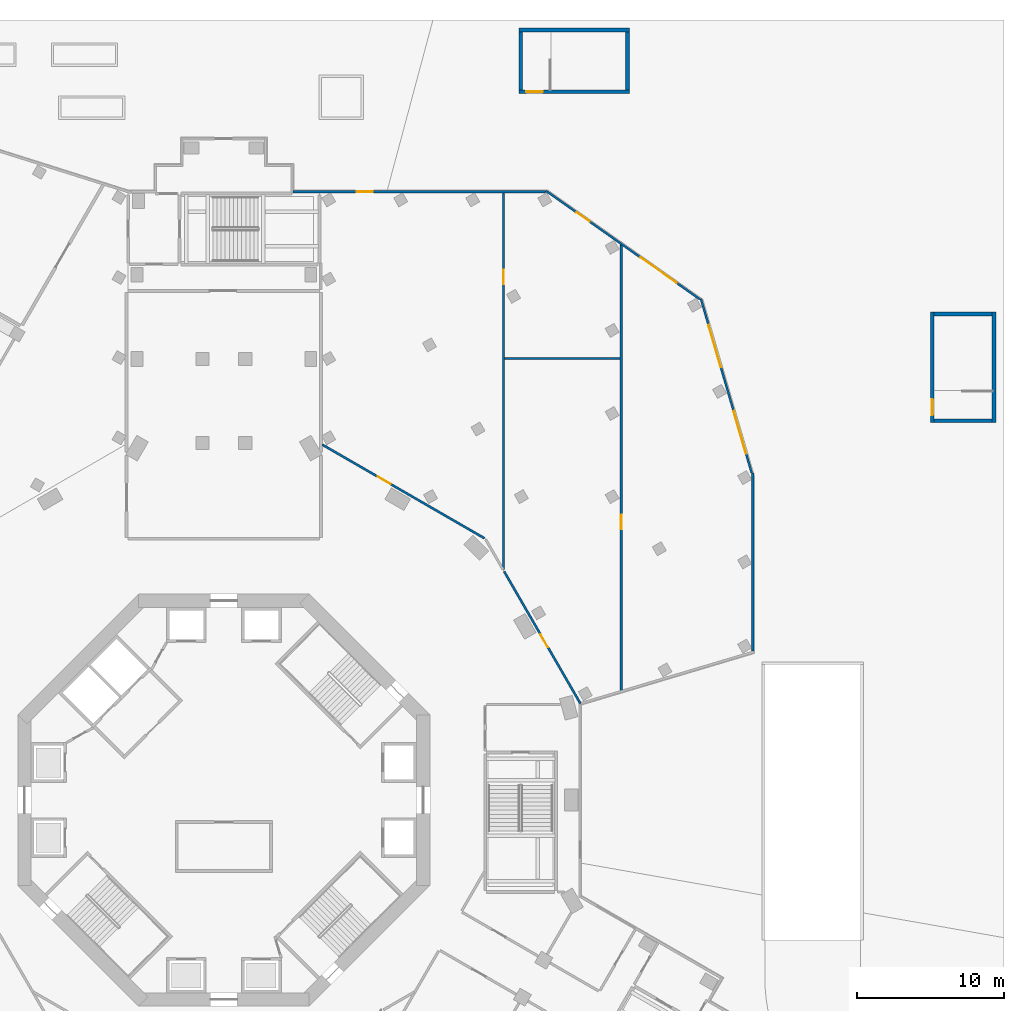
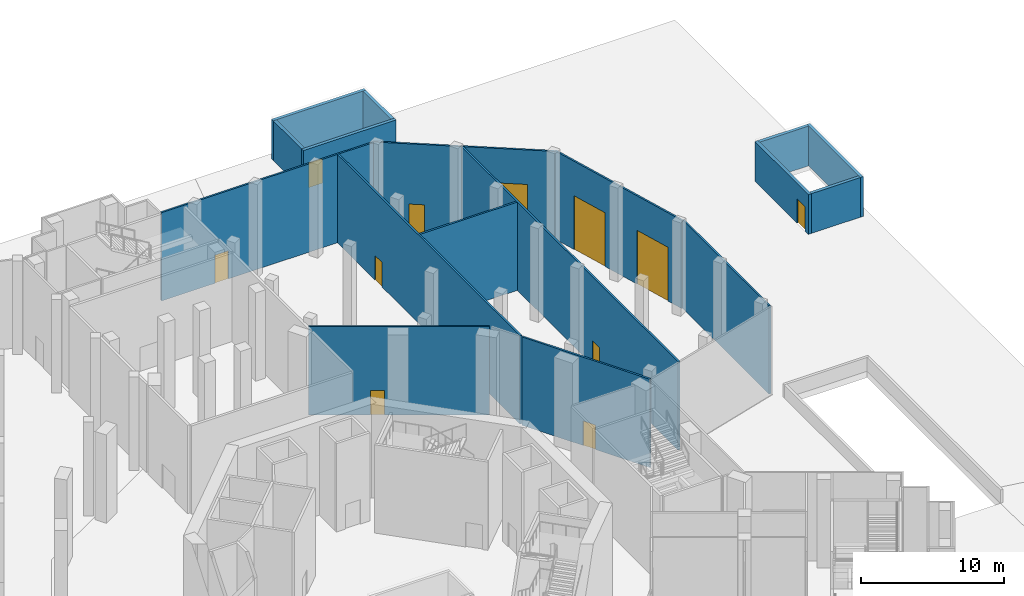
# One storey, part 12 of 30: 17 walls, 11 doors, 11 openings.
"""IFC4 building model written with IfcOpenShell, lengths in metres."""

from ifc_helpers import new_model, si_unit, direction, frame, frame_2d, origin, place, context, subcontext, project, spatial, rectangle, extrude, material, layer, layer_set, type_object, element, fill, save


model = new_model("IFC4")

# Units and contexts
model_context = context("Model", 3, precision=1e-05, world=origin(), true_north=direction((0.0, 1.0)))
body_context = subcontext(model_context, "Body", "Model", "MODEL_VIEW")
ifc_project = project(units=[si_unit("LENGTHUNIT", "METRE"), si_unit("AREAUNIT", "SQUARE_METRE"), si_unit("VOLUMEUNIT", "CUBIC_METRE"), si_unit("PLANEANGLEUNIT", "RADIAN"), si_unit("MASSUNIT", "GRAM", prefix="KILO")], contexts=[model_context])

# Site, building, storey
site_placement = place(None, origin())
site = spatial("IfcSite", under=ifc_project, at=site_placement, CompositionType="ELEMENT")
building_placement = place(site_placement, origin())
building = spatial("IfcBuilding", under=site, at=building_placement, Name="Verdalira Terraces Hotel", CompositionType="ELEMENT")
storey_placement = place(building_placement, origin())
storey = spatial("IfcBuildingStorey", under=building, at=storey_placement, Name="L00", CompositionType="ELEMENT", Elevation=0.0)

# Wall, opening, door
ifc_material_1 = material(Name="Gypsum board partition on steel stud", Category="steel")
ifc_layer_1 = layer(ifc_material_1, 0.14990234375)
ifc_layer_set_1 = layer_set([ifc_layer_1], Name="Fire-rated partition 150 mm")
wall_type_1 = type_object("IfcWallType", Name="Fire-rated partition 150 mm", PredefinedType="PARTITIONING", material=ifc_layer_set_1)
wall_1_placement = place(storey_placement, frame((17.693359, 17.795898, 0.0), z_axis=(0.0, 0.0, 1.0), x_axis=(-0.866027563, 0.499996261, 0.0)))
wall_1 = element("IfcWall", 1, at=wall_1_placement, inside=storey, type_object=wall_type_1, Name="Partition", PredefinedType="PARTITIONING", context=body_context, shape_type="SweptSolid", body=[
    extrude(rectangle(XDim=12.709473, YDim=0.149902, at=frame_2d((6.354736, 0.0))), origin(), (0.0, 0.0, 1.0), 7.550049),
])
opening_1_placement = place(wall_1_placement, frame((7.359619, 0.0, 0.0)))
opening_1 = element("IfcOpeningElement", 2, at=opening_1_placement, cuts=wall_1, Name="Opening L00-D20", PredefinedType="OPENING", context=body_context, shape_type="SweptSolid", body=[
    extrude(rectangle(XDim=1.0, YDim=2.100098, at=frame_2d((0.5, 1.050049))), frame((0.0, 0.084961, 0.0), z_axis=(0.0, -1.0, 0.0), x_axis=(1.0, 0.0, 0.0)), (0.0, 0.0, 1.0), 0.169922),
])
ifc_material_2 = material(Name="Steel fire door", Category="steel")
door_type_1 = type_object("IfcDoorType", Name="Fire door 1000 x 2100", OperationType="SINGLE_SWING_LEFT", PredefinedType="DOOR", material=ifc_material_2)
door_1_placement = place(opening_1_placement, origin())
door_1 = element("IfcDoor", 3, at=door_1_placement, inside=storey, type_object=door_type_1, Name="Back-of-house corridor door", OperationType="SINGLE_SWING_RIGHT", OverallHeight=2.10009765625, OverallWidth=1.0, PredefinedType="DOOR", context=body_context, shape_type="SweptSolid", body=[
    extrude(rectangle(XDim=1.0, YDim=2.100098, at=frame_2d((0.5, 1.050049))), frame((0.0, 0.024902, 0.0), z_axis=(0.0, -1.0, 0.0), x_axis=(1.0, 0.0, 0.0)), (0.0, 0.0, 1.0), 0.050049),
])
fill(opening_1, door_1)

wall_2_placement = place(storey_placement, frame((19.0, 41.26001, 0.0), z_axis=(0.0, 0.0, 1.0), x_axis=(0.0, -1.0, 0.0)))
wall_2 = element("IfcWall", 4, at=wall_2_placement, inside=storey, type_object=wall_type_1, Name="Partition", PredefinedType="PARTITIONING", context=body_context, shape_type="SweptSolid", body=[
    extrude(rectangle(XDim=25.577393, YDim=0.149902, at=frame_2d((12.788574, 0.0))), origin(), (0.0, 0.0, 1.0), 7.550049),
])
opening_2_placement = place(wall_2_placement, frame((5.227295, 0.0, 0.0)))
opening_2 = element("IfcOpeningElement", 5, at=opening_2_placement, cuts=wall_2, Name="Opening L00-D28", PredefinedType="OPENING", context=body_context, shape_type="SweptSolid", body=[
    extrude(rectangle(XDim=1.0, YDim=2.100098, at=frame_2d((0.5, 1.050049))), frame((0.0, 0.084961, 0.0), z_axis=(0.0, -1.0, 0.0), x_axis=(1.0, 0.0, 0.0)), (0.0, 0.0, 1.0), 0.169922),
])
door_2_placement = place(opening_2_placement, origin())
door_2 = element("IfcDoor", 6, at=door_2_placement, inside=storey, type_object=door_type_1, Name="Refuse store door", OperationType="SINGLE_SWING_RIGHT", OverallHeight=2.10009765625, OverallWidth=1.0, PredefinedType="DOOR", context=body_context, shape_type="SweptSolid", body=[
    extrude(rectangle(XDim=1.0, YDim=2.100098, at=frame_2d((0.5, 1.050049))), frame((0.0, 0.024902, 0.0), z_axis=(0.0, -1.0, 0.0), x_axis=(1.0, 0.0, 0.0)), (0.0, 0.0, 1.0), 0.050049),
])
fill(opening_2, door_2)

wall_3_placement = place(storey_placement, frame((19.037354, 15.543213, 0.0), z_axis=(0.0, 0.0, 1.0), x_axis=(0.499986809, -0.866033019, 0.0)))
wall_3 = element("IfcWall", 7, at=wall_3_placement, inside=storey, type_object=wall_type_1, Name="Partition", PredefinedType="PARTITIONING", context=body_context, shape_type="SweptSolid", body=[
    extrude(rectangle(XDim=10.365967, YDim=0.149902, at=frame_2d((5.183105, 0.0))), origin(), (0.0, 0.0, 1.0), 7.550049),
])
opening_3_placement = place(wall_3_placement, frame((4.949951, 0.0, 0.0)))
opening_3 = element("IfcOpeningElement", 8, at=opening_3_placement, cuts=wall_3, Name="Opening L00-D29", PredefinedType="OPENING", context=body_context, shape_type="SweptSolid", body=[
    extrude(rectangle(XDim=1.0, YDim=2.100098, at=frame_2d((0.5, 1.050049))), frame((0.0, 0.084961, 0.0), z_axis=(0.0, -1.0, 0.0), x_axis=(1.0, 0.0, 0.0)), (0.0, 0.0, 1.0), 0.169922),
])
door_3_placement = place(opening_3_placement, origin())
door_3 = element("IfcDoor", 9, at=door_3_placement, inside=storey, type_object=door_type_1, Name="Goods receiving and cold store door", OperationType="SINGLE_SWING_LEFT", OverallHeight=2.10009765625, OverallWidth=1.0, PredefinedType="DOOR", context=body_context, shape_type="SweptSolid", body=[
    extrude(rectangle(XDim=1.0, YDim=2.100098, at=frame_2d((0.5, 1.050049))), frame((0.0, 0.024902, 0.0), z_axis=(0.0, -1.0, 0.0), x_axis=(1.0, 0.0, 0.0)), (0.0, 0.0, 1.0), 0.050049),
])
fill(opening_3, door_3)

# Wall
wall_4_placement = place(storey_placement, frame((19.074951, 30.0, 0.0), z_axis=(0.0, 0.0, 1.0), x_axis=(1.0, 0.0, 0.0)))
element("IfcWall", 10, at=wall_4_placement, inside=storey, type_object=wall_type_1, Name="Partition", PredefinedType="PARTITIONING", context=body_context, shape_type="SweptSolid", body=[
    extrude(rectangle(XDim=7.850098, YDim=0.149902, at=frame_2d((3.925049, 0.0))), origin(), (0.0, 0.0, 1.0), 7.550049),
])

# Wall, opening, door
wall_5_placement = place(storey_placement, frame((27.0, 7.401611, 0.0), z_axis=(0.0, 0.0, 1.0), x_axis=(0.0, 1.0, 0.0)))
wall_5 = element("IfcWall", 11, at=wall_5_placement, inside=storey, type_object=wall_type_1, Name="Partition", PredefinedType="PARTITIONING", context=body_context, shape_type="SweptSolid", body=[
    extrude(rectangle(XDim=30.33667, YDim=0.149902, at=frame_2d((15.168457, 0.0))), origin(), (0.0, 0.0, 1.0), 7.550049),
])
opening_4_placement = place(wall_5_placement, frame((10.986572, 0.0, 0.0)))
opening_4 = element("IfcOpeningElement", 12, at=opening_4_placement, cuts=wall_5, Name="Opening L00-D33", PredefinedType="OPENING", context=body_context, shape_type="SweptSolid", body=[
    extrude(rectangle(XDim=1.0, YDim=2.100098, at=frame_2d((0.5, 1.050049))), frame((0.0, 0.084961, 0.0), z_axis=(0.0, -1.0, 0.0), x_axis=(1.0, 0.0, 0.0)), (0.0, 0.0, 1.0), 0.169922),
])
door_4_placement = place(opening_4_placement, origin())
door_4 = element("IfcDoor", 13, at=door_4_placement, inside=storey, type_object=door_type_1, Name="Goods receiving and cold store door", OperationType="SINGLE_SWING_LEFT", OverallHeight=2.10009765625, OverallWidth=1.0, PredefinedType="DOOR", context=body_context, shape_type="SweptSolid", body=[
    extrude(rectangle(XDim=1.0, YDim=2.100098, at=frame_2d((0.5, 1.050049))), frame((0.0, 0.024902, 0.0), z_axis=(0.0, -1.0, 0.0), x_axis=(1.0, 0.0, 0.0)), (0.0, 0.0, 1.0), 0.050049),
])
fill(opening_4, door_4)

# Wall
ifc_material_3 = material(Name="Concrete C40", Category="concrete")
ifc_layer_2 = layer(ifc_material_3, 0.25)
ifc_layer_set_2 = layer_set([ifc_layer_2], Name="Stair head house wall 250 C40")
wall_type_2 = type_object("IfcWallType", Name="Stair head house wall 250 C40", PredefinedType="SOLIDWALL", material=ifc_layer_set_2)
wall_6_placement = place(storey_placement, frame((20.050049, 52.324951, 0.0), z_axis=(0.0, 0.0, 1.0), x_axis=(1.0, 0.0, 0.0)))
element("IfcWall", 14, at=wall_6_placement, inside=storey, type_object=wall_type_2, Name="Stair BS3 enclosure wall", PredefinedType="SOLIDWALL", context=body_context, shape_type="SweptSolid", body=[
    extrude(rectangle(XDim=7.5, YDim=0.25, at=frame_2d((3.75, 0.0))), origin(), (0.0, 0.0, 1.0), 3.399902),
])

# Wall, opening, door
wall_7_placement = place(storey_placement, frame((27.550049, 48.125, 0.0), z_axis=(0.0, 0.0, 1.0), x_axis=(-1.0, 0.0, 0.0)))
wall_7 = element("IfcWall", 15, at=wall_7_placement, inside=storey, type_object=wall_type_2, Name="Stair BS3 enclosure wall", PredefinedType="SOLIDWALL", context=body_context, shape_type="SweptSolid", body=[
    extrude(rectangle(XDim=7.5, YDim=0.25, at=frame_2d((3.75, 0.0))), origin(), (0.0, 0.0, 1.0), 3.399902),
])
opening_5_placement = place(wall_7_placement, frame((5.899902, 0.0, 0.0)))
opening_5 = element("IfcOpeningElement", 16, at=opening_5_placement, cuts=wall_7, Name="Opening L00-D603", PredefinedType="OPENING", context=body_context, shape_type="SweptSolid", body=[
    extrude(rectangle(XDim=1.100098, YDim=2.100098, at=frame_2d((0.550049, 1.050049))), frame((0.0, 0.13501, 0.0), z_axis=(0.0, -1.0, 0.0), x_axis=(1.0, 0.0, 0.0)), (0.0, 0.0, 1.0), 0.27002),
])
ifc_material_4 = material(Name="Steel fire door", Category="steel")
door_type_2 = type_object("IfcDoorType", Name="Stair exit door 1100 x 2100", OperationType="SINGLE_SWING_RIGHT", PredefinedType="DOOR", material=ifc_material_4)
door_5_placement = place(opening_5_placement, origin())
door_5 = element("IfcDoor", 17, at=door_5_placement, inside=storey, type_object=door_type_2, Name="Stair BS3 exit door", OperationType="SINGLE_SWING_RIGHT", OverallHeight=2.10009765625, OverallWidth=1.10009765625, PredefinedType="DOOR", context=body_context, shape_type="SweptSolid", body=[
    extrude(rectangle(XDim=1.100098, YDim=2.100098, at=frame_2d((0.550049, 1.050049))), frame((0.0, 0.024902, 0.0), z_axis=(0.0, -1.0, 0.0), x_axis=(1.0, 0.0, 0.0)), (0.0, 0.0, 1.0), 0.050049),
])
fill(opening_5, door_5)

# Walls
for number, where, z_axis, x_axis, name in (
    (18, (20.175049, 48.25, 0.0), (0.0, 0.0, 1.0), (0.0, 1.0, 0.0), "Stair BS3 enclosure wall"),
    (19, (27.425049, 48.25, 0.0), (0.0, 0.0, 1.0), (0.0, 1.0, 0.0), "Stair BS3 enclosure wall"),
):
    element("IfcWall", number, at=place(storey_placement, frame(where, z_axis=z_axis, x_axis=x_axis)), inside=storey, type_object=wall_type_2, Name=name, PredefinedType="SOLIDWALL", context=body_context, shape_type="SweptSolid", body=[
        extrude(rectangle(XDim=3.949951, YDim=0.25, at=frame_2d((1.975098, 0.0))), origin(), (0.0, 0.0, 1.0), 3.399902),
    ])

# Wall, opening, door
wall_8_placement = place(storey_placement, frame((48.125, 25.649902, 0.0), z_axis=(0.0, 0.0, 1.0), x_axis=(0.0, 1.0, 0.0)))
wall_8 = element("IfcWall", 20, at=wall_8_placement, inside=storey, type_object=wall_type_2, Name="Stair BS5 enclosure wall", PredefinedType="SOLIDWALL", context=body_context, shape_type="SweptSolid", body=[
    extrude(rectangle(XDim=7.5, YDim=0.25, at=frame_2d((3.75, 0.0))), origin(), (0.0, 0.0, 1.0), 3.399902),
])
opening_6_placement = place(wall_8_placement, frame((0.5, 0.0, 0.0)))
opening_6 = element("IfcOpeningElement", 21, at=opening_6_placement, cuts=wall_8, Name="Opening L00-D605", PredefinedType="OPENING", context=body_context, shape_type="SweptSolid", body=[
    extrude(rectangle(XDim=1.100098, YDim=2.100098, at=frame_2d((0.550049, 1.050049))), frame((0.0, 0.13501, 0.0), z_axis=(0.0, -1.0, 0.0), x_axis=(1.0, 0.0, 0.0)), (0.0, 0.0, 1.0), 0.27002),
])
door_6_placement = place(opening_6_placement, origin())
door_6 = element("IfcDoor", 22, at=door_6_placement, inside=storey, type_object=door_type_2, Name="Stair BS5 exit door", OperationType="SINGLE_SWING_RIGHT", OverallHeight=2.10009765625, OverallWidth=1.10009765625, PredefinedType="DOOR", context=body_context, shape_type="SweptSolid", body=[
    extrude(rectangle(XDim=1.100098, YDim=2.100098, at=frame_2d((0.550049, 1.050049))), frame((0.0, 0.024902, 0.0), z_axis=(0.0, -1.0, 0.0), x_axis=(1.0, 0.0, 0.0)), (0.0, 0.0, 1.0), 0.050049),
])
fill(opening_6, door_6)

# Walls
wall_9_placement = place(storey_placement, frame((52.324951, 25.649902, 0.0), z_axis=(0.0, 0.0, 1.0), x_axis=(0.0, 1.0, 0.0)))
element("IfcWall", 23, at=wall_9_placement, inside=storey, type_object=wall_type_2, Name="Stair BS5 enclosure wall", PredefinedType="SOLIDWALL", context=body_context, shape_type="SweptSolid", body=[
    extrude(rectangle(XDim=7.5, YDim=0.25, at=frame_2d((3.75, 0.0))), origin(), (0.0, 0.0, 1.0), 3.399902),
])
for number, where, z_axis, x_axis, name in (
    (24, (52.199951, 25.774902, 0.0), (0.0, 0.0, 1.0), (-1.0, 0.0, 0.0), "Stair BS5 enclosure wall"),
    (25, (52.199951, 33.024902, 0.0), (0.0, 0.0, 1.0), (-1.0, 0.0, 0.0), "Stair BS5 enclosure wall"),
):
    element("IfcWall", number, at=place(storey_placement, frame(where, z_axis=z_axis, x_axis=x_axis)), inside=storey, type_object=wall_type_2, Name=name, PredefinedType="SOLIDWALL", context=body_context, shape_type="SweptSolid", body=[
        extrude(rectangle(XDim=3.949951, YDim=0.25, at=frame_2d((1.975098, 0.0))), origin(), (0.0, 0.0, 1.0), 3.399902),
    ])

# Wall, opening, door
ifc_material_5 = material(Name="Concrete C40", Category="concrete")
ifc_layer_3 = layer(ifc_material_5, 0.139892578125)
ifc_layer_set_3 = layer_set([ifc_layer_3], Name="Terracotta clad concrete wall C40 140 mm")
wall_type_3 = type_object("IfcWallType", Name="Terracotta clad concrete wall C40 140 mm", PredefinedType="SOLIDWALL", material=ifc_layer_set_3)
wall_10_placement = place(storey_placement, frame((4.699951, 41.330078, 0.0), z_axis=(0.0, 0.0, 1.0), x_axis=(1.0, 0.0, 0.0)))
wall_10 = element("IfcWall", 26, at=wall_10_placement, inside=storey, type_object=wall_type_3, Name="Podium facade wall", PredefinedType="SOLIDWALL", context=body_context, shape_type="SweptSolid", body=[
    extrude(rectangle(XDim=17.15625, YDim=0.139893, at=frame_2d((8.578125, 0.0))), origin(), (0.0, 0.0, 1.0), 7.550049),
])
opening_7_placement = place(wall_10_placement, frame((4.317139, 0.0, 0.0)))
opening_7 = element("IfcOpeningElement", 27, at=opening_7_placement, cuts=wall_10, Name="Opening L00-E13", PredefinedType="OPENING", context=body_context, shape_type="SweptSolid", body=[
    extrude(rectangle(XDim=1.100098, YDim=2.399902, at=frame_2d((0.550049, 1.199951))), frame((0.0, 0.079834, 0.0), z_axis=(0.0, -1.0, 0.0), x_axis=(1.0, 0.0, 0.0)), (0.0, 0.0, 1.0), 0.159912),
])
ifc_material_6 = material(Name="Glazed steel door", Category="steel")
door_type_3 = type_object("IfcDoorType", Name="Exit door 1100 x 2400", OperationType="SINGLE_SWING_RIGHT", PredefinedType="DOOR", material=ifc_material_6)
door_7_placement = place(opening_7_placement, origin())
door_7 = element("IfcDoor", 28, at=door_7_placement, inside=storey, type_object=door_type_3, Name="Exit door", OperationType="SINGLE_SWING_LEFT", OverallHeight=2.39990234375, OverallWidth=1.10009765625, PredefinedType="DOOR", context=body_context, shape_type="SweptSolid", body=[
    extrude(rectangle(XDim=1.100098, YDim=2.399902, at=frame_2d((0.550049, 1.199951))), frame((0.0, 0.024902, 0.0), z_axis=(0.0, -1.0, 0.0), x_axis=(1.0, 0.0, 0.0)), (0.0, 0.0, 1.0), 0.050049),
])
fill(opening_7, door_7)

# Wall
ifc_material_7 = material(Name="Terracotta cladding on steel stud backup", Category="masonry")
ifc_layer_4 = layer(ifc_material_7, 0.139892578125)
ifc_layer_set_4 = layer_set([ifc_layer_4], Name="Terracotta clad wall 140 mm")
wall_type_4 = type_object("IfcWallType", Name="Terracotta clad wall 140 mm", PredefinedType="SOLIDWALL", material=ifc_layer_set_4)
wall_11_placement = place(storey_placement, frame((35.929932, 10.125244, 0.0), z_axis=(0.0, 0.0, 1.0), x_axis=(0.0, 1.0, 0.0)))
element("IfcWall", 29, at=wall_11_placement, inside=storey, type_object=wall_type_4, Name="Podium facade wall", PredefinedType="SOLIDWALL", context=body_context, shape_type="SweptSolid", body=[
    extrude(rectangle(XDim=12.114746, YDim=0.139893, at=frame_2d((6.057373, 0.0))), origin(), (0.0, 0.0, 1.0), 7.550049),
])

# Wall, openings, doors
wall_12_placement = place(storey_placement, frame((35.860107, 22.22998, 0.0), z_axis=(0.0, 0.0, 1.0), x_axis=(-0.280008365, 0.95999756, 0.0)))
wall_12 = element("IfcWall", 30, at=wall_12_placement, inside=storey, type_object=wall_type_4, Name="Podium facade wall", PredefinedType="SOLIDWALL", context=body_context, shape_type="SweptSolid", body=[
    extrude(rectangle(XDim=12.327881, YDim=0.139893, at=frame_2d((6.164062, 0.0))), origin(), (0.0, 0.0, 1.0), 7.550049),
])
opening_8_placement = place(wall_12_placement, frame((1.377197, 0.0, 0.0)))
opening_8 = element("IfcOpeningElement", 31, at=opening_8_placement, cuts=wall_12, Name="Opening L00-E09", PredefinedType="OPENING", context=body_context, shape_type="SweptSolid", body=[
    extrude(rectangle(XDim=3.0, YDim=4.600098, at=frame_2d((1.5, 2.300049))), frame((0.0, 0.079834, 0.0), z_axis=(0.0, -1.0, 0.0), x_axis=(1.0, 0.0, 0.0)), (0.0, 0.0, 1.0), 0.159912),
])
opening_9_placement = place(wall_12_placement, frame((7.474609, 0.0, 0.0)))
opening_9 = element("IfcOpeningElement", 32, at=opening_9_placement, cuts=wall_12, Name="Opening L00-E10", PredefinedType="OPENING", context=body_context, shape_type="SweptSolid", body=[
    extrude(rectangle(XDim=3.0, YDim=4.600098, at=frame_2d((1.5, 2.300049))), frame((0.0, 0.079834, 0.0), z_axis=(0.0, -1.0, 0.0), x_axis=(1.0, 0.0, 0.0)), (0.0, 0.0, 1.0), 0.159912),
])
ifc_material_8 = material(Name="Galvanised steel", Category="steel")
door_type_4 = type_object("IfcDoorType", Name="Dock roller door 3000 x 4600", OperationType="ROLLINGUP", PredefinedType="DOOR", material=ifc_material_8)
door_8_placement = place(opening_8_placement, origin())
door_8 = element("IfcDoor", 33, at=door_8_placement, inside=storey, type_object=door_type_4, Name="Dock door", OperationType="ROLLINGUP", OverallHeight=4.60009765625, OverallWidth=3.0, PredefinedType="DOOR", context=body_context, shape_type="SweptSolid", body=[
    extrude(rectangle(XDim=3.0, YDim=4.600098, at=frame_2d((1.5, 2.300049))), frame((0.0, 0.024902, 0.0), z_axis=(0.0, -1.0, 0.0), x_axis=(1.0, 0.0, 0.0)), (0.0, 0.0, 1.0), 0.050049),
])
fill(opening_8, door_8)
door_9_placement = place(opening_9_placement, origin())
door_9 = element("IfcDoor", 34, at=door_9_placement, inside=storey, type_object=door_type_4, Name="Dock door", OperationType="ROLLINGUP", OverallHeight=4.60009765625, OverallWidth=3.0, PredefinedType="DOOR", context=body_context, shape_type="SweptSolid", body=[
    extrude(rectangle(XDim=3.0, YDim=4.600098, at=frame_2d((1.5, 2.300049))), frame((0.0, 0.024902, 0.0), z_axis=(0.0, -1.0, 0.0), x_axis=(1.0, 0.0, 0.0)), (0.0, 0.0, 1.0), 0.050049),
])
fill(opening_9, door_9)

wall_13_placement = place(storey_placement, frame((21.878418, 41.399902, 0.0), z_axis=(0.0, 0.0, 1.0), x_axis=(0.817401857, -0.576067881, 0.0)))
wall_13 = element("IfcWall", 35, at=wall_13_placement, inside=storey, type_object=wall_type_4, Name="Podium facade wall", PredefinedType="SOLIDWALL", context=body_context, shape_type="SweptSolid", body=[
    extrude(rectangle(XDim=12.80835, YDim=0.139893, at=frame_2d((6.404297, 0.0))), origin(), (0.0, 0.0, 1.0), 7.550049),
])
opening_10_placement = place(wall_13_placement, frame((7.858887, 0.0, 0.0)))
opening_10 = element("IfcOpeningElement", 36, at=opening_10_placement, cuts=wall_13, Name="Opening L00-E11", PredefinedType="OPENING", context=body_context, shape_type="SweptSolid", body=[
    extrude(rectangle(XDim=3.0, YDim=4.600098, at=frame_2d((1.5, 2.300049))), frame((0.0, 0.079834, 0.0), z_axis=(0.0, -1.0, 0.0), x_axis=(1.0, 0.0, 0.0)), (0.0, 0.0, 1.0), 0.159912),
])
opening_11_placement = place(wall_13_placement, frame((2.54541, 0.0, 0.0)))
opening_11 = element("IfcOpeningElement", 37, at=opening_11_placement, cuts=wall_13, Name="Opening L00-E12", PredefinedType="OPENING", context=body_context, shape_type="SweptSolid", body=[
    extrude(rectangle(XDim=1.100098, YDim=2.399902, at=frame_2d((0.550049, 1.199951))), frame((0.0, 0.079834, 0.0), z_axis=(0.0, -1.0, 0.0), x_axis=(1.0, 0.0, 0.0)), (0.0, 0.0, 1.0), 0.159912),
])
door_10_placement = place(opening_10_placement, origin())
door_10 = element("IfcDoor", 38, at=door_10_placement, inside=storey, type_object=door_type_4, Name="Dock door", OperationType="ROLLINGUP", OverallHeight=4.60009765625, OverallWidth=3.0, PredefinedType="DOOR", context=body_context, shape_type="SweptSolid", body=[
    extrude(rectangle(XDim=3.0, YDim=4.600098, at=frame_2d((1.5, 2.300049))), frame((0.0, 0.024902, 0.0), z_axis=(0.0, -1.0, 0.0), x_axis=(1.0, 0.0, 0.0)), (0.0, 0.0, 1.0), 0.050049),
])
fill(opening_10, door_10)
door_11_placement = place(opening_11_placement, origin())
door_11 = element("IfcDoor", 39, at=door_11_placement, inside=storey, type_object=door_type_3, Name="Exit door", OperationType="SINGLE_SWING_RIGHT", OverallHeight=2.39990234375, OverallWidth=1.10009765625, PredefinedType="DOOR", context=body_context, shape_type="SweptSolid", body=[
    extrude(rectangle(XDim=1.100098, YDim=2.399902, at=frame_2d((0.550049, 1.199951))), frame((0.0, 0.024902, 0.0), z_axis=(0.0, -1.0, 0.0), x_axis=(1.0, 0.0, 0.0)), (0.0, 0.0, 1.0), 0.050049),
])
fill(opening_11, door_11)

save(model, "model.ifc")
